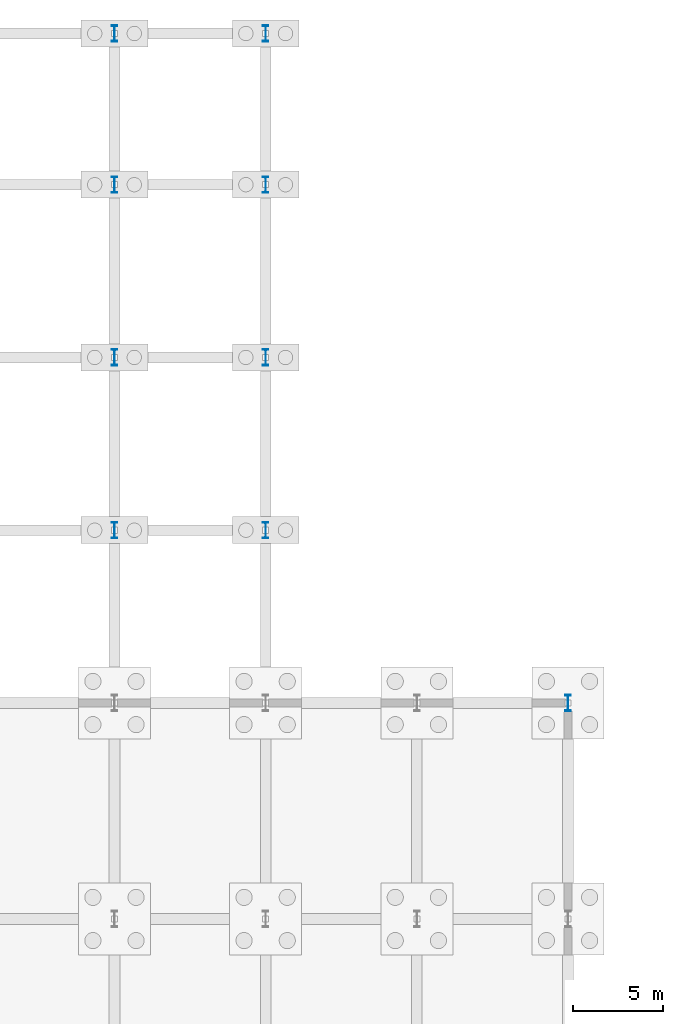
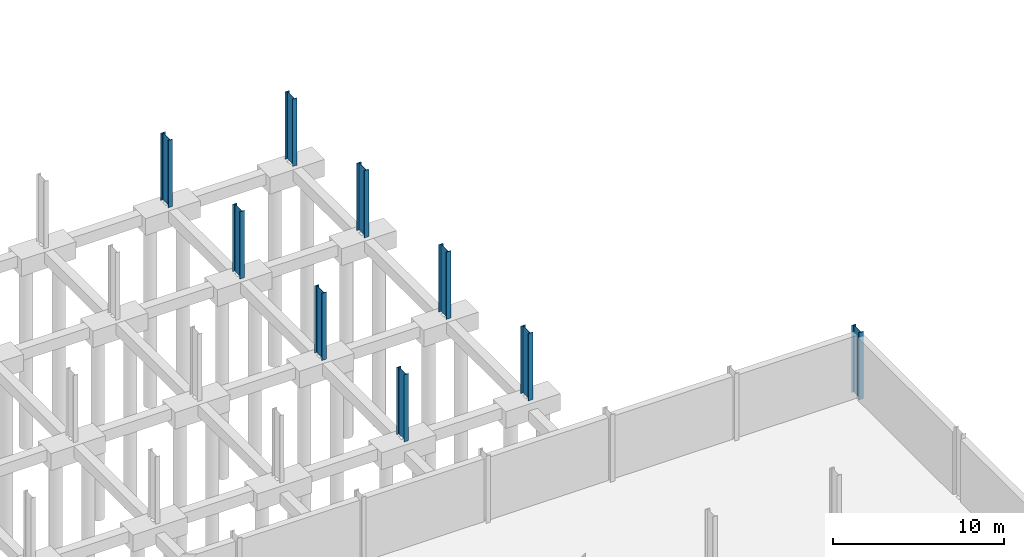
# One storey, part 13 of 29: 9 columns.
"""IFC4 building model written with IfcOpenShell, lengths in metres."""

from ifc_helpers import new_model, si_unit, direction, frame, origin, origin_2d, place, context, subcontext, project, spatial, i_section, extrude, material, material_profile, profile_set, type_object, element, save


model = new_model("IFC4")

# Units and contexts
model_context = context("Model", 3, precision=1e-05, world=origin(), true_north=direction((0.0, 1.0)))
body_context = subcontext(model_context, "Body", "Model", "MODEL_VIEW")
ifc_project = project(units=[si_unit("LENGTHUNIT", "METRE"), si_unit("AREAUNIT", "SQUARE_METRE"), si_unit("VOLUMEUNIT", "CUBIC_METRE"), si_unit("PLANEANGLEUNIT", "RADIAN"), si_unit("MASSUNIT", "GRAM", prefix="KILO")], contexts=[model_context])

# Site, building, storey
site_placement = place(None, origin())
site = spatial("IfcSite", under=ifc_project, at=site_placement, CompositionType="ELEMENT")
building_placement = place(site_placement, origin())
building = spatial("IfcBuilding", under=site, at=building_placement, Name="Veltarok Museum of Natural Sciences", CompositionType="ELEMENT")
storey_placement = place(building_placement, frame((0.0, 0.0, -4.800048828125)))
storey = spatial("IfcBuildingStorey", under=building, at=storey_placement, Name="B1", CompositionType="ELEMENT", Elevation=-4.800048828125)

# Columns
ifc_material = material(Name="Steel S355J2", Category="steel")
ifc_material_profile = material_profile(ifc_material, i_section(OverallWidth=0.300048828125, OverallDepth=0.89990234375, WebThickness=0.0185546875, FlangeThickness=0.034912109375, FilletRadius=0.030029296875, at=origin_2d()), Name="HEB 900")
ifc_profile_set = profile_set([ifc_material_profile], Name="Steel S355J2")
column_type = type_object("IfcColumnType", Name="Heavy Hall Column HEB 900", PredefinedType="COLUMN", material=ifc_profile_set)
for number, where, z_axis, x_axis, name in (
    (1, (73.60009765625, 81.60009765625, 0.0), (0.0, 0.0, 1.0), (1.0, 0.0, 0.0), "Column COL-S01 B1 9/J"),
    (2, (73.60009765625, 91.199951171875, 0.0), (0.0, 0.0, 1.0), (1.0, 0.0, 0.0), "Column COL-S01 B1 9/K"),
    (3, (73.60009765625, 100.800048828125, 0.0), (0.0, 0.0, 1.0), (1.0, 0.0, 0.0), "Column COL-S01 B1 9/L"),
    (4, (73.60009765625, 109.199951171875, 0.0), (0.0, 0.0, 1.0), (1.0, 0.0, 0.0), "Column COL-S01 B1 9/M"),
    (5, (82.0, 81.60009765625, 0.0), (0.0, 0.0, 1.0), (1.0, 0.0, 0.0), "Column COL-S01 B1 10/J"),
    (6, (82.0, 91.199951171875, 0.0), (0.0, 0.0, 1.0), (1.0, 0.0, 0.0), "Column COL-S01 B1 10/K"),
    (7, (82.0, 100.800048828125, 0.0), (0.0, 0.0, 1.0), (1.0, 0.0, 0.0), "Column COL-S01 B1 10/L"),
    (8, (82.0, 109.199951171875, 0.0), (0.0, 0.0, 1.0), (1.0, 0.0, 0.0), "Column COL-S01 B1 10/M"),
    (9, (98.800048828125, 72.0, 0.0), (0.0, 0.0, 1.0), (1.0, 0.0, 0.0), "Column COL-S01 B1 12/H"),
):
    element("IfcColumn", number, at=place(storey_placement, frame(where, z_axis=z_axis, x_axis=x_axis)), inside=storey, type_object=column_type, Name=name, PredefinedType="COLUMN", context=body_context, shape_type="SweptSolid", body=[
        extrude(i_section(OverallWidth=0.300048828125, OverallDepth=0.89990234375, WebThickness=0.0185546875, FlangeThickness=0.034912109375, FilletRadius=0.030029296875, at=origin_2d()), origin(), (0.0, 0.0, 1.0), 4.800048828125),
    ])

save(model, "model.ifc")
